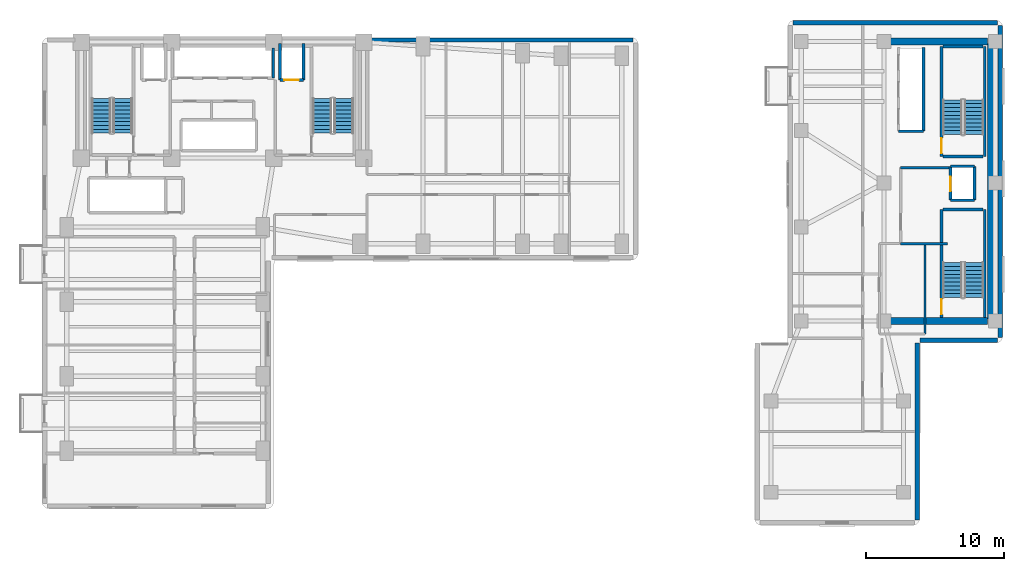
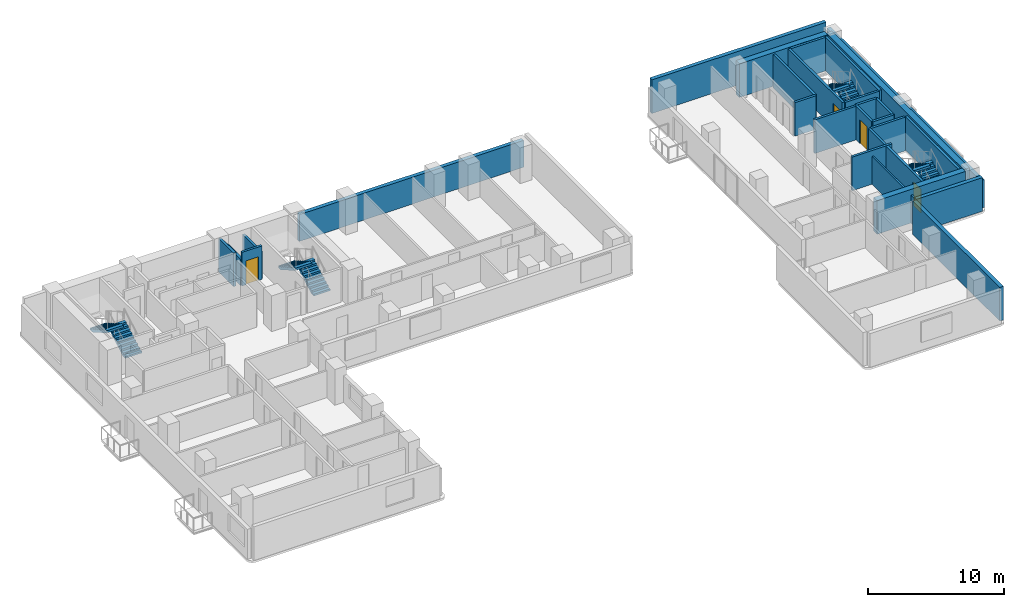
# One storey, part 13 of 17: 28 walls, 8 stair flights, 4 doors, 4 openings, 4 elements without a shape of their own.
"""IFC4 building model written with IfcOpenShell, lengths in metres."""

from ifc_helpers import new_model, si_unit, direction, frame, frame_2d, origin, place, context, subcontext, project, spatial, polyline, rectangle, outline, extrude, material, layer, layer_set, type_object, element, fill, aggregate, save


model = new_model("IFC4")

# Units and contexts
model_context = context("Model", 3, precision=1e-05, world=origin(), true_north=direction((0.0, 1.0)))
body_context = subcontext(model_context, "Body", "Model", "MODEL_VIEW")
ifc_project = project(units=[si_unit("LENGTHUNIT", "METRE"), si_unit("AREAUNIT", "SQUARE_METRE"), si_unit("VOLUMEUNIT", "CUBIC_METRE"), si_unit("PLANEANGLEUNIT", "RADIAN"), si_unit("MASSUNIT", "GRAM", prefix="KILO")], contexts=[model_context])

# Site, building, storey
site_placement = place(None, origin())
site = spatial("IfcSite", under=ifc_project, at=site_placement, CompositionType="ELEMENT")
building_placement = place(site_placement, origin())
building = spatial("IfcBuilding", under=site, at=building_placement, Name="Kuzgunbayir Cultural Tower", CompositionType="ELEMENT")
storey_placement = place(building_placement, frame((0.0, 0.0, 43.60009765625)))
storey = spatial("IfcBuildingStorey", under=building, at=storey_placement, Name="L11", CompositionType="ELEMENT", Elevation=43.60009765625)

# Walls
ifc_material_1 = material(Name="Travertine Buff Ashlar", Category="masonry")
ifc_layer_1 = layer(ifc_material_1, 0.320068359375)
ifc_layer_set_1 = layer_set([ifc_layer_1], Name="Travertine Buff Ashlar")
wall_type_1 = type_object("IfcWallType", Name="WAL-EXT-STONE-320", PredefinedType="STANDARD", material=ifc_layer_set_1)
wall_1_placement = place(storey_placement, frame((46.39990234375, 42.35009765625, 0.0), z_axis=(0.0, 0.0, 1.0), x_axis=(-1.0, 0.0, 0.0)))
element("IfcWall", 1, at=wall_1_placement, inside=storey, type_object=wall_type_1, Name="L11 North Wing B Limestone Wall", PredefinedType="STANDARD", context=body_context, shape_type="SweptSolid", body=[
    extrude(rectangle(XDim=19.0498046875, YDim=0.320068359375, at=frame_2d((9.52490234375, 0.0))), origin(), (0.0, 0.0, 1.0), 2.409912109375),
])
wall_2_placement = place(storey_placement, frame((73.0, 20.800048828125, 0.0), z_axis=(0.0, 0.0, 1.0), x_axis=(0.0, 1.0, 0.0)))
element("IfcWall", 2, at=wall_2_placement, inside=storey, type_object=wall_type_1, Name="L11 Companion East Limestone Wall", PredefinedType="STANDARD", context=body_context, shape_type="SweptSolid", body=[
    extrude(rectangle(XDim=22.599853515625, YDim=0.320068359375, at=frame_2d((11.2998046875, 0.0))), origin(), (0.0, 0.0, 1.0), 2.5),
])
wall_3_placement = place(storey_placement, frame((72.800048828125, 43.60009765625, 0.0), z_axis=(0.0, 0.0, 1.0), x_axis=(-1.0, 0.0, 0.0)))
element("IfcWall", 3, at=wall_3_placement, inside=storey, type_object=wall_type_1, Name="L11 Companion North Limestone Wall", PredefinedType="STANDARD", context=body_context, shape_type="SweptSolid", body=[
    extrude(rectangle(XDim=14.800048828125, YDim=0.320068359375, at=frame_2d((7.39990234375, 0.0))), origin(), (0.0, 0.0, 1.0), 3.02001953125),
])
wall_4_placement = place(storey_placement, frame((67.0, 7.60009765625, 0.0), z_axis=(0.0, 0.0, 1.0), x_axis=(0.0, 1.0, 0.0)))
element("IfcWall", 4, at=wall_4_placement, inside=storey, type_object=wall_type_1, Name="L11 Companion Wing B East Wall", PredefinedType="STANDARD", context=body_context, shape_type="SweptSolid", body=[
    extrude(rectangle(XDim=12.7998046875, YDim=0.320068359375, at=frame_2d((6.39990234375, 0.0))), origin(), (0.0, 0.0, 1.0), 3.02001953125),
])
wall_5_placement = place(storey_placement, frame((67.199951171875, 20.60009765625, 0.0), z_axis=(0.0, 0.0, 1.0), x_axis=(1.0, 0.0, 0.0)))
element("IfcWall", 5, at=wall_5_placement, inside=storey, type_object=wall_type_1, Name="L11 Companion South-East Link", PredefinedType="STANDARD", context=body_context, shape_type="SweptSolid", body=[
    extrude(rectangle(XDim=5.60009765625, YDim=0.320068359375, at=frame_2d((2.800048828125, 0.0))), origin(), (0.0, 0.0, 1.0), 3.02001953125),
])
ifc_material_2 = material(Name="Acoustic Double-Stud Drywall", Category="gypsum")
ifc_layer_2 = layer(ifc_material_2, 0.14990234375)
ifc_layer_set_2 = layer_set([ifc_layer_2], Name="Acoustic Double-Stud Drywall")
wall_type_2 = type_object("IfcWallType", Name="WAL-PART-ACOUSTIC-150", PredefinedType="PARTITIONING", material=ifc_layer_set_2)
wall_6_placement = place(storey_placement, frame((67.550048828125, 21.050048828125, 0.0), z_axis=(0.0, 0.0, 1.0), x_axis=(0.0, 1.0, 0.0)))
element("IfcWall", 6, at=wall_6_placement, inside=storey, type_object=wall_type_2, Name="L11 Companion Archive East Wall", PredefinedType="PARTITIONING", context=body_context, shape_type="SweptSolid", body=[
    extrude(rectangle(XDim=6.469970703125, YDim=0.14990234375, at=frame_2d((3.23486328125, 0.0))), origin(), (0.0, 0.0, 1.0), 2.5),
])
ifc_material_3 = material(Name="Aerated Concrete Blockwork", Category="masonry")
ifc_layer_3 = layer(ifc_material_3, 0.199951171875)
ifc_layer_set_3 = layer_set([ifc_layer_3], Name="Aerated Concrete Blockwork")
wall_type_3 = type_object("IfcWallType", Name="WAL-PART-FIRE-200", PredefinedType="PARTITIONING", material=ifc_layer_set_3)
wall_7_placement = place(storey_placement, frame((65.800048828125, 33.10009765625, 0.0), z_axis=(0.0, 0.0, 1.0), x_axis=(1.0, 0.0, 0.0)))
element("IfcWall", 7, at=wall_7_placement, inside=storey, type_object=wall_type_3, Name="L11 FFL-3 Lobby North Fire Wall", PredefinedType="PARTITIONING", context=body_context, shape_type="SweptSolid", body=[
    extrude(rectangle(XDim=3.599853515625, YDim=0.199951171875, at=frame_2d((1.7998046875, 0.0))), origin(), (0.0, 0.0, 1.0), 3.02001953125),
])
wall_8_placement = place(storey_placement, frame((65.800048828125, 27.60009765625, 0.0), z_axis=(0.0, 0.0, 1.0), x_axis=(1.0, 0.0, 0.0)))
element("IfcWall", 8, at=wall_8_placement, inside=storey, type_object=wall_type_3, Name="L11 FFL-3 Lobby South Fire Wall", PredefinedType="PARTITIONING", context=body_context, shape_type="SweptSolid", body=[
    extrude(rectangle(XDim=3.39990234375, YDim=0.199951171875, at=frame_2d((1.699951171875, 0.0))), origin(), (0.0, 0.0, 1.0), 3.02001953125),
])

# Wall, opening, door
ifc_material_4 = material(Name="Concrete C40/50", Category="concrete")
ifc_layer_4 = layer(ifc_material_4, 0.199951171875)
ifc_layer_set_4 = layer_set([ifc_layer_4], Name="Concrete C40/50")
wall_type_4 = type_object("IfcWallType", Name="WAL-SHAFT-200", PredefinedType="MOVABLE", material=ifc_layer_set_4)
wall_9_placement = place(storey_placement, frame((20.85009765625, 39.449951171875, 0.0), z_axis=(0.0, 0.0, 1.0), x_axis=(1.0, 0.0, 0.0)))
wall_9 = element("IfcWall", 9, at=wall_9_placement, inside=storey, type_object=wall_type_4, Name="L11 FFL-2 Lift Front Wall", PredefinedType="MOVABLE", context=body_context, shape_type="SweptSolid", body=[
    extrude(rectangle(XDim=1.699951171875, YDim=0.199951171875, at=frame_2d((0.85009765625, 0.0))), origin(), (0.0, 0.0, 1.0), 3.02001953125),
])
opening_1_placement = place(wall_9_placement, frame((0.320068359375, 0.0, 0.0)))
opening_1 = element("IfcOpeningElement", 10, at=opening_1_placement, cuts=wall_9, Name="Opening LD", PredefinedType="OPENING", context=body_context, shape_type="SweptSolid", body=[
    extrude(rectangle(XDim=1.050048828125, YDim=2.14990234375, at=frame_2d((0.52490234375, 1.074951171875))), frame((0.0, 0.10986328125, 0.0), z_axis=(0.0, -1.0, 0.0), x_axis=(1.0, 0.0, 0.0)), (0.0, 0.0, 1.0), 0.219970703125),
])
ifc_material_5 = material(Name="Brushed Stainless Steel", Category="steel")
door_type_1 = type_object("IfcDoorType", Name="DR-LIFT-LANDING", OperationType="SLIDING_TO_LEFT", PredefinedType="DOOR", material=ifc_material_5)
door_1_placement = place(opening_1_placement, origin())
door_1 = element("IfcDoor", 11, at=door_1_placement, inside=storey, type_object=door_type_1, Name="L11 Lift FFL-2 Landing Door", OperationType="SLIDING_TO_LEFT", OverallHeight=2.14990234375, OverallWidth=1.050048828125, PredefinedType="DOOR", context=body_context, shape_type="SweptSolid", body=[
    extrude(rectangle(XDim=1.050048828125, YDim=2.14990234375, at=frame_2d((0.52490234375, 1.074951171875))), frame((0.0, 0.02490234375, 0.0), z_axis=(0.0, -1.0, 0.0), x_axis=(1.0, 0.0, 0.0)), (0.0, 0.0, 1.0), 0.050048828125),
])
fill(opening_1, door_1)

# Walls
for number, where, z_axis, x_axis, name in (
    (12, (20.85009765625, 39.449951171875, 0.0), (0.0, 0.0, 1.0), (0.0, 1.0, 0.0), "L11 FFL-2 Shaft West Wall"),
    (13, (22.550048828125, 39.449951171875, 0.0), (0.0, 0.0, 1.0), (0.0, 1.0, 0.0), "L11 FFL-2 Shaft East Wall"),
):
    element("IfcWall", number, at=place(storey_placement, frame(where, z_axis=z_axis, x_axis=x_axis)), inside=storey, type_object=wall_type_4, Name=name, PredefinedType="MOVABLE", context=body_context, shape_type="SweptSolid", body=[
        extrude(rectangle(XDim=2.650146484375, YDim=0.199951171875, at=frame_2d((1.3251953125, 0.0))), origin(), (0.0, 0.0, 1.0), 2.409912109375),
    ])
wall_10_placement = place(storey_placement, frame((20.35009765625, 39.60009765625, 0.0), z_axis=(0.0, 0.0, 1.0), x_axis=(0.0, 1.0, 0.0)))
element("IfcWall", 14, at=wall_10_placement, inside=storey, type_object=wall_type_4, Name="L11 Low-Rise Lift Shaft East Wall", PredefinedType="MOVABLE", context=body_context, shape_type="SweptSolid", body=[
    extrude(rectangle(XDim=2.179931640625, YDim=0.199951171875, at=frame_2d((1.08984375, 0.0))), origin(), (0.0, 0.0, 1.0), 3.02001953125),
])
wall_11_placement = place(storey_placement, frame((67.449951171875, 35.75, 0.0), z_axis=(0.0, 0.0, 1.0), x_axis=(0.0, 1.0, 0.0)))
element("IfcWall", 15, at=wall_11_placement, inside=storey, type_object=wall_type_4, Name="L11 Companion Lift Shaft Back Wall", PredefinedType="MOVABLE", context=body_context, shape_type="SweptSolid", body=[
    extrude(rectangle(XDim=6.050048828125, YDim=0.199951171875, at=frame_2d((3.02490234375, 0.0))), origin(), (0.0, 0.0, 1.0), 3.02001953125),
])
wall_12_placement = place(storey_placement, frame((65.64990234375, 35.75, 0.0), z_axis=(0.0, 0.0, 1.0), x_axis=(1.0, 0.0, 0.0)))
element("IfcWall", 16, at=wall_12_placement, inside=storey, type_object=wall_type_4, Name="L11 Companion Lift Shaft South Wall", PredefinedType="MOVABLE", context=body_context, shape_type="SweptSolid", body=[
    extrude(rectangle(XDim=1.800048828125, YDim=0.199951171875, at=frame_2d((0.89990234375, 0.0))), origin(), (0.0, 0.0, 1.0), 3.02001953125),
])

# Wall, opening, door
wall_13_placement = place(storey_placement, frame((69.39990234375, 30.75, 0.0), z_axis=(0.0, 0.0, 1.0), x_axis=(0.0, 1.0, 0.0)))
wall_13 = element("IfcWall", 17, at=wall_13_placement, inside=storey, type_object=wall_type_4, Name="L11 FFL-3 Lift Front Wall", PredefinedType="MOVABLE", context=body_context, shape_type="SweptSolid", body=[
    extrude(rectangle(XDim=2.449951171875, YDim=0.199951171875, at=frame_2d((1.22509765625, 0.0))), origin(), (0.0, 0.0, 1.0), 3.02001953125),
])
opening_2_placement = place(wall_13_placement, frame((0.64990234375, 0.0, 0.0)))
opening_2 = element("IfcOpeningElement", 18, at=opening_2_placement, cuts=wall_13, Name="Opening LD", PredefinedType="OPENING", context=body_context, shape_type="SweptSolid", body=[
    extrude(rectangle(XDim=1.050048828125, YDim=2.14990234375, at=frame_2d((0.52490234375, 1.074951171875))), frame((0.0, 0.10986328125, 0.0), z_axis=(0.0, -1.0, 0.0), x_axis=(1.0, 0.0, 0.0)), (0.0, 0.0, 1.0), 0.219970703125),
])
door_2_placement = place(opening_2_placement, origin())
door_2 = element("IfcDoor", 19, at=door_2_placement, inside=storey, type_object=door_type_1, Name="L11 Lift FFL-3 Landing Door", OperationType="SLIDING_TO_LEFT", OverallHeight=2.14990234375, OverallWidth=1.050048828125, PredefinedType="DOOR", context=body_context, shape_type="SweptSolid", body=[
    extrude(rectangle(XDim=1.050048828125, YDim=2.14990234375, at=frame_2d((0.52490234375, 1.074951171875))), frame((0.0, 0.02490234375, 0.0), z_axis=(0.0, -1.0, 0.0), x_axis=(1.0, 0.0, 0.0)), (0.0, 0.0, 1.0), 0.050048828125),
])
fill(opening_2, door_2)

# Walls
wall_14_placement = place(storey_placement, frame((71.14990234375, 30.75, 0.0), z_axis=(0.0, 0.0, 1.0), x_axis=(0.0, 1.0, 0.0)))
element("IfcWall", 20, at=wall_14_placement, inside=storey, type_object=wall_type_4, Name="L11 FFL-3 Shaft Back Wall", PredefinedType="MOVABLE", context=body_context, shape_type="SweptSolid", body=[
    extrude(rectangle(XDim=2.449951171875, YDim=0.199951171875, at=frame_2d((1.22509765625, 0.0))), origin(), (0.0, 0.0, 1.0), 3.02001953125),
])
for number, where, z_axis, x_axis, name in (
    (21, (69.39990234375, 33.199951171875, 0.0), (0.0, 0.0, 1.0), (1.0, 0.0, 0.0), "L11 FFL-3 Shaft North Wall"),
    (22, (69.39990234375, 30.75, 0.0), (0.0, 0.0, 1.0), (1.0, 0.0, 0.0), "L11 FFL-3 Shaft South Wall"),
):
    element("IfcWall", number, at=place(storey_placement, frame(where, z_axis=z_axis, x_axis=x_axis)), inside=storey, type_object=wall_type_4, Name=name, PredefinedType="MOVABLE", context=body_context, shape_type="SweptSolid", body=[
        extrude(rectangle(XDim=1.75, YDim=0.199951171875, at=frame_2d((0.875, 0.0))), origin(), (0.0, 0.0, 1.0), 3.02001953125),
    ])

# Wall, opening, door
ifc_layer_5 = layer(ifc_material_4, 0.199951171875)
ifc_layer_set_5 = layer_set([ifc_layer_5], Name="Concrete C40/50")
wall_type_5 = type_object("IfcWallType", Name="WAL-STAIR-RC-200", PredefinedType="SHEAR", material=ifc_layer_set_5)
wall_15_placement = place(storey_placement, frame((68.760009765625, 22.260009765625, 0.0), z_axis=(0.0, 0.0, 1.0), x_axis=(0.0, 1.0, 0.0)))
wall_15 = element("IfcWall", 23, at=wall_15_placement, inside=storey, type_object=wall_type_5, Name="L11 Stair ST-3 West Structural Wall", PredefinedType="SHEAR", context=body_context, shape_type="SweptSolid", body=[
    extrude(rectangle(XDim=7.820068359375, YDim=0.199951171875, at=frame_2d((3.91015625, 0.0))), origin(), (0.0, 0.0, 1.0), 3.02001953125),
])
opening_3_placement = place(wall_15_placement, frame((0.219970703125, 0.0, 0.0)))
opening_3 = element("IfcOpeningElement", 24, at=opening_3_placement, cuts=wall_15, Name="Opening DR-STAIR-90", PredefinedType="OPENING", context=body_context, shape_type="SweptSolid", body=[
    extrude(rectangle(XDim=1.10009765625, YDim=2.14990234375, at=frame_2d((0.550048828125, 1.074951171875))), frame((0.0, 0.10986328125, 0.0), z_axis=(0.0, -1.0, 0.0), x_axis=(1.0, 0.0, 0.0)), (0.0, 0.0, 1.0), 0.219970703125),
])
ifc_material_6 = material(Name="Steel S355J2", Category="steel")
door_type_2 = type_object("IfcDoorType", Name="DR-STAIR-90", OperationType="NOTDEFINED", PredefinedType="DOOR", material=ifc_material_6)
door_3_placement = place(opening_3_placement, origin())
door_3 = element("IfcDoor", 25, at=door_3_placement, inside=storey, type_object=door_type_2, Name="L11 Stair ST-3 Fire Door", OperationType="SINGLE_SWING_LEFT", OverallHeight=2.14990234375, OverallWidth=1.10009765625, PredefinedType="DOOR", context=body_context, shape_type="SweptSolid", body=[
    extrude(rectangle(XDim=1.10009765625, YDim=2.14990234375, at=frame_2d((0.550048828125, 1.074951171875))), frame((0.0, 0.02490234375, 0.0), z_axis=(0.0, -1.0, 0.0), x_axis=(1.0, 0.0, 0.0)), (0.0, 0.0, 1.0), 0.050048828125),
])
fill(opening_3, door_3)

# Walls
wall_16_placement = place(storey_placement, frame((71.8798828125, 22.260009765625, 0.0), z_axis=(0.0, 0.0, 1.0), x_axis=(0.0, 1.0, 0.0)))
element("IfcWall", 26, at=wall_16_placement, inside=storey, type_object=wall_type_5, Name="L11 Stair ST-3 East Structural Wall", PredefinedType="SHEAR", context=body_context, shape_type="SweptSolid", body=[
    extrude(rectangle(XDim=7.820068359375, YDim=0.199951171875, at=frame_2d((3.91015625, 0.0))), origin(), (0.0, 0.0, 1.0), 3.02001953125),
])
wall_17_placement = place(storey_placement, frame((68.8798828125, 30.080078125, 0.0), z_axis=(0.0, 0.0, 1.0), x_axis=(1.0, 0.0, 0.0)))
element("IfcWall", 27, at=wall_17_placement, inside=storey, type_object=wall_type_5, Name="L11 Stair ST-3 North Structural Wall", PredefinedType="SHEAR", context=body_context, shape_type="SweptSolid", body=[
    extrude(rectangle(XDim=2.880126953125, YDim=0.199951171875, at=frame_2d((1.43994140625, 0.0))), origin(), (0.0, 0.0, 1.0), 3.02001953125),
])

# Wall, opening, door
wall_18_placement = place(storey_placement, frame((68.760009765625, 33.919921875, 0.0), z_axis=(0.0, 0.0, 1.0), x_axis=(0.0, 1.0, 0.0)))
wall_18 = element("IfcWall", 28, at=wall_18_placement, inside=storey, type_object=wall_type_5, Name="L11 Stair ST-4 West Structural Wall", PredefinedType="SHEAR", context=body_context, shape_type="SweptSolid", body=[
    extrude(rectangle(XDim=7.9599609375, YDim=0.199951171875, at=frame_2d((3.97998046875, 0.0))), origin(), (0.0, 0.0, 1.0), 3.02001953125),
])
opening_4_placement = place(wall_18_placement, frame((0.219970703125, 0.0, 0.0)))
opening_4 = element("IfcOpeningElement", 29, at=opening_4_placement, cuts=wall_18, Name="Opening DR-STAIR-90", PredefinedType="OPENING", context=body_context, shape_type="SweptSolid", body=[
    extrude(rectangle(XDim=1.10009765625, YDim=2.14990234375, at=frame_2d((0.550048828125, 1.074951171875))), frame((0.0, 0.10986328125, 0.0), z_axis=(0.0, -1.0, 0.0), x_axis=(1.0, 0.0, 0.0)), (0.0, 0.0, 1.0), 0.219970703125),
])
door_4_placement = place(opening_4_placement, origin())
door_4 = element("IfcDoor", 30, at=door_4_placement, inside=storey, type_object=door_type_2, Name="L11 Stair ST-4 Fire Door", OperationType="SINGLE_SWING_RIGHT", OverallHeight=2.14990234375, OverallWidth=1.10009765625, PredefinedType="DOOR", context=body_context, shape_type="SweptSolid", body=[
    extrude(rectangle(XDim=1.10009765625, YDim=2.14990234375, at=frame_2d((0.550048828125, 1.074951171875))), frame((0.0, 0.02490234375, 0.0), z_axis=(0.0, -1.0, 0.0), x_axis=(1.0, 0.0, 0.0)), (0.0, 0.0, 1.0), 0.050048828125),
])
fill(opening_4, door_4)

# Walls
wall_19_placement = place(storey_placement, frame((71.8798828125, 33.919921875, 0.0), z_axis=(0.0, 0.0, 1.0), x_axis=(0.0, 1.0, 0.0)))
element("IfcWall", 31, at=wall_19_placement, inside=storey, type_object=wall_type_5, Name="L11 Stair ST-4 East Structural Wall", PredefinedType="SHEAR", context=body_context, shape_type="SweptSolid", body=[
    extrude(rectangle(XDim=7.9599609375, YDim=0.199951171875, at=frame_2d((3.97998046875, 0.0))), origin(), (0.0, 0.0, 1.0), 3.02001953125),
])
for number, where, z_axis, x_axis, name in (
    (32, (68.8798828125, 41.8798828125, 0.0), (0.0, 0.0, 1.0), (1.0, 0.0, 0.0), "L11 Stair ST-4 North Structural Wall"),
    (33, (68.8798828125, 33.919921875, 0.0), (0.0, 0.0, 1.0), (1.0, 0.0, 0.0), "L11 Stair ST-4 South Structural Wall"),
):
    element("IfcWall", number, at=place(storey_placement, frame(where, z_axis=z_axis, x_axis=x_axis)), inside=storey, type_object=wall_type_5, Name=name, PredefinedType="SHEAR", context=body_context, shape_type="SweptSolid", body=[
        extrude(rectangle(XDim=2.880126953125, YDim=0.199951171875, at=frame_2d((1.43994140625, 0.0))), origin(), (0.0, 0.0, 1.0), 3.02001953125),
    ])
ifc_material_7 = material(Name="Concrete C60/75", Category="concrete")
ifc_layer_6 = layer(ifc_material_7, 0.5)
ifc_layer_set_6 = layer_set([ifc_layer_6], Name="Concrete C60/75")
wall_type_6 = type_object("IfcWallType", Name="WAL-T2-CORE-500", PredefinedType="SHEAR", material=ifc_layer_set_6)
wall_20_placement = place(storey_placement, frame((72.35009765625, 22.0, 0.0), z_axis=(0.0, 0.0, 1.0), x_axis=(0.0, 1.0, 0.0)))
element("IfcWall", 34, at=wall_20_placement, inside=storey, type_object=wall_type_6, Name="L11 Companion Core East Shear Wall", PredefinedType="SHEAR", context=body_context, shape_type="SweptSolid", body=[
    extrude(rectangle(XDim=20.25, YDim=0.5, at=frame_2d((10.125, 0.0))), origin(), (0.0, 0.0, 1.0), 3.02001953125),
])
for number, where, z_axis, x_axis, name in (
    (35, (64.60009765625, 42.25, 0.0), (0.0, 0.0, 1.0), (1.0, 0.0, 0.0), "L11 Companion Core North Shear Wall"),
    (36, (64.60009765625, 22.0, 0.0), (0.0, 0.0, 1.0), (1.0, 0.0, 0.0), "L11 Companion Core South Shear Wall"),
):
    element("IfcWall", number, at=place(storey_placement, frame(where, z_axis=z_axis, x_axis=x_axis)), inside=storey, type_object=wall_type_6, Name=name, PredefinedType="SHEAR", context=body_context, shape_type="SweptSolid", body=[
        extrude(rectangle(XDim=7.5, YDim=0.5, at=frame_2d((3.75, 0.0))), origin(), (0.0, 0.0, 1.0), 3.02001953125),
    ])

# Stair, stair flights
stair_type = type_object("IfcStairType", Name="STR-EXIT-CORE", PredefinedType="HALF_TURN_STAIR", material=ifc_material_4)
stair_1_placement = place(storey_placement, origin())
stair_1 = element("IfcStair", 37, at=stair_1_placement, inside=storey, type_object=stair_type, Name="L11 ST-1", PredefinedType="HALF_TURN_STAIR")
stair_flight_type = type_object("IfcStairFlightType", Name="STRF-RC-140", PredefinedType="STRAIGHT", material=ifc_material_4)
stair_flight_1_placement = place(storey_placement, frame((9.4599609375, 35.60009765625, 0.0), z_axis=(0.0, 0.0, 1.0), x_axis=(0.0, 1.0, 0.0)))
stair_flight_1 = element("IfcStairFlight", 38, at=stair_flight_1_placement, type_object=stair_flight_type, Name="ST-1 flight 1", NumberOfRisers=10, NumberOfTreads=9, PredefinedType="STRAIGHT", RiserHeight=0.16, TreadLength=0.28, context=body_context, shape_type="SweptSolid", body=[
    extrude(outline(polyline([(0.0, 0.0), (0.0, 0.159912109375), (0.280029296875, 0.159912109375), (0.280029296875, 0.320068359375), (0.56005859375, 0.320068359375), (0.56005859375, 0.47998046875), (0.840087890625, 0.47998046875), (0.840087890625, 0.639892578125), (1.1201171875, 0.639892578125), (1.1201171875, 0.800048828125), (1.39990234375, 0.800048828125), (1.39990234375, 0.9599609375), (1.679931640625, 0.9599609375), (1.679931640625, 1.1201171875), (1.9599609375, 1.1201171875), (1.9599609375, 1.280029296875), (2.239990234375, 1.280029296875), (2.239990234375, 1.43994140625), (2.52001953125, 1.43994140625), (2.52001953125, 1.60009765625), (2.52001953125, 1.232666015625), (0.362548828125, 0.0), (0.0, 0.0)])), frame((0.0, 0.699951171875, 0.0), z_axis=(0.0, -1.0, 0.0), x_axis=(1.0, 0.0, 0.0)), (0.0, 0.0, 1.0), 1.39990234375),
])
stair_flight_2_placement = place(storey_placement, frame((7.89990234375, 38.1201171875, 1.599853515625), z_axis=(0.0, 0.0, 1.0), x_axis=(0.0, -1.0, 0.0)))
stair_flight_2 = element("IfcStairFlight", 39, at=stair_flight_2_placement, type_object=stair_flight_type, Name="ST-1 flight 2", NumberOfRisers=10, NumberOfTreads=9, PredefinedType="STRAIGHT", RiserHeight=0.16, TreadLength=0.28, context=body_context, shape_type="SweptSolid", body=[
    extrude(outline(polyline([(0.0, 0.0), (0.0, 0.159912109375), (0.280029296875, 0.159912109375), (0.280029296875, 0.320068359375), (0.56005859375, 0.320068359375), (0.56005859375, 0.47998046875), (0.840087890625, 0.47998046875), (0.840087890625, 0.639892578125), (1.1201171875, 0.639892578125), (1.1201171875, 0.800048828125), (1.39990234375, 0.800048828125), (1.39990234375, 0.9599609375), (1.679931640625, 0.9599609375), (1.679931640625, 1.1201171875), (1.9599609375, 1.1201171875), (1.9599609375, 1.280029296875), (2.239990234375, 1.280029296875), (2.239990234375, 1.43994140625), (2.52001953125, 1.43994140625), (2.52001953125, 1.60009765625), (2.52001953125, 1.232666015625), (0.362548828125, 0.0), (0.0, 0.0)])), frame((0.0, 0.699951171875, 0.0), z_axis=(0.0, -1.0, 0.0), x_axis=(1.0, 0.0, 0.0)), (0.0, 0.0, 1.0), 1.39990234375),
])
aggregate(stair_1, [stair_flight_1, stair_flight_2])

stair_2_placement = place(storey_placement, origin())
stair_2 = element("IfcStair", 40, at=stair_2_placement, inside=storey, type_object=stair_type, Name="L11 ST-2", PredefinedType="HALF_TURN_STAIR")
stair_flight_3_placement = place(storey_placement, frame((25.4599609375, 35.60009765625, 0.0), z_axis=(0.0, 0.0, 1.0), x_axis=(0.0, 1.0, 0.0)))
stair_flight_3 = element("IfcStairFlight", 41, at=stair_flight_3_placement, type_object=stair_flight_type, Name="ST-2 flight 1", NumberOfRisers=10, NumberOfTreads=9, PredefinedType="STRAIGHT", RiserHeight=0.16, TreadLength=0.28, context=body_context, shape_type="SweptSolid", body=[
    extrude(outline(polyline([(0.0, 0.0), (0.0, 0.159912109375), (0.280029296875, 0.159912109375), (0.280029296875, 0.320068359375), (0.56005859375, 0.320068359375), (0.56005859375, 0.47998046875), (0.840087890625, 0.47998046875), (0.840087890625, 0.639892578125), (1.1201171875, 0.639892578125), (1.1201171875, 0.800048828125), (1.39990234375, 0.800048828125), (1.39990234375, 0.9599609375), (1.679931640625, 0.9599609375), (1.679931640625, 1.1201171875), (1.9599609375, 1.1201171875), (1.9599609375, 1.280029296875), (2.239990234375, 1.280029296875), (2.239990234375, 1.43994140625), (2.52001953125, 1.43994140625), (2.52001953125, 1.60009765625), (2.52001953125, 1.232666015625), (0.362548828125, 0.0), (0.0, 0.0)])), frame((0.0, 0.699951171875, 0.0), z_axis=(0.0, -1.0, 0.0), x_axis=(1.0, 0.0, 0.0)), (0.0, 0.0, 1.0), 1.39990234375),
])
stair_flight_4_placement = place(storey_placement, frame((23.89990234375, 38.1201171875, 1.599853515625), z_axis=(0.0, 0.0, 1.0), x_axis=(0.0, -1.0, 0.0)))
stair_flight_4 = element("IfcStairFlight", 42, at=stair_flight_4_placement, type_object=stair_flight_type, Name="ST-2 flight 2", NumberOfRisers=10, NumberOfTreads=9, PredefinedType="STRAIGHT", RiserHeight=0.16, TreadLength=0.28, context=body_context, shape_type="SweptSolid", body=[
    extrude(outline(polyline([(0.0, 0.0), (0.0, 0.159912109375), (0.280029296875, 0.159912109375), (0.280029296875, 0.320068359375), (0.56005859375, 0.320068359375), (0.56005859375, 0.47998046875), (0.840087890625, 0.47998046875), (0.840087890625, 0.639892578125), (1.1201171875, 0.639892578125), (1.1201171875, 0.800048828125), (1.39990234375, 0.800048828125), (1.39990234375, 0.9599609375), (1.679931640625, 0.9599609375), (1.679931640625, 1.1201171875), (1.9599609375, 1.1201171875), (1.9599609375, 1.280029296875), (2.239990234375, 1.280029296875), (2.239990234375, 1.43994140625), (2.52001953125, 1.43994140625), (2.52001953125, 1.60009765625), (2.52001953125, 1.232666015625), (0.362548828125, 0.0), (0.0, 0.0)])), frame((0.0, 0.699951171875, 0.0), z_axis=(0.0, -1.0, 0.0), x_axis=(1.0, 0.0, 0.0)), (0.0, 0.0, 1.0), 1.39990234375),
])
aggregate(stair_2, [stair_flight_3, stair_flight_4])

stair_3_placement = place(storey_placement, origin())
stair_3 = element("IfcStair", 43, at=stair_3_placement, inside=storey, type_object=stair_type, Name="L11 ST-3", PredefinedType="HALF_TURN_STAIR")
stair_flight_5_placement = place(storey_placement, frame((71.10009765625, 23.699951171875, 0.0), z_axis=(0.0, 0.0, 1.0), x_axis=(0.0, 1.0, 0.0)))
stair_flight_5 = element("IfcStairFlight", 44, at=stair_flight_5_placement, type_object=stair_flight_type, Name="ST-3 flight 1", NumberOfRisers=10, NumberOfTreads=9, PredefinedType="STRAIGHT", RiserHeight=0.16, TreadLength=0.28, context=body_context, shape_type="SweptSolid", body=[
    extrude(outline(polyline([(0.0, 0.0), (0.0, 0.159912109375), (0.280029296875, 0.159912109375), (0.280029296875, 0.320068359375), (0.56005859375, 0.320068359375), (0.56005859375, 0.47998046875), (0.840087890625, 0.47998046875), (0.840087890625, 0.639892578125), (1.1201171875, 0.639892578125), (1.1201171875, 0.800048828125), (1.39990234375, 0.800048828125), (1.39990234375, 0.9599609375), (1.679931640625, 0.9599609375), (1.679931640625, 1.1201171875), (1.9599609375, 1.1201171875), (1.9599609375, 1.280029296875), (2.239990234375, 1.280029296875), (2.239990234375, 1.43994140625), (2.52001953125, 1.43994140625), (2.52001953125, 1.60009765625), (2.52001953125, 1.232666015625), (0.362548828125, 0.0), (0.0, 0.0)])), frame((0.0, 0.699951171875, 0.0), z_axis=(0.0, -1.0, 0.0), x_axis=(1.0, 0.0, 0.0)), (0.0, 0.0, 1.0), 1.39990234375),
])
stair_flight_6_placement = place(storey_placement, frame((69.5400390625, 26.219970703125, 1.599853515625), z_axis=(0.0, 0.0, 1.0), x_axis=(0.0, -1.0, 0.0)))
stair_flight_6 = element("IfcStairFlight", 45, at=stair_flight_6_placement, type_object=stair_flight_type, Name="ST-3 flight 2", NumberOfRisers=10, NumberOfTreads=9, PredefinedType="STRAIGHT", RiserHeight=0.16, TreadLength=0.28, context=body_context, shape_type="SweptSolid", body=[
    extrude(outline(polyline([(0.0, 0.0), (0.0, 0.159912109375), (0.280029296875, 0.159912109375), (0.280029296875, 0.320068359375), (0.56005859375, 0.320068359375), (0.56005859375, 0.47998046875), (0.840087890625, 0.47998046875), (0.840087890625, 0.639892578125), (1.1201171875, 0.639892578125), (1.1201171875, 0.800048828125), (1.39990234375, 0.800048828125), (1.39990234375, 0.9599609375), (1.679931640625, 0.9599609375), (1.679931640625, 1.1201171875), (1.9599609375, 1.1201171875), (1.9599609375, 1.280029296875), (2.239990234375, 1.280029296875), (2.239990234375, 1.43994140625), (2.52001953125, 1.43994140625), (2.52001953125, 1.60009765625), (2.52001953125, 1.232666015625), (0.362548828125, 0.0), (0.0, 0.0)])), frame((0.0, 0.699951171875, 0.0), z_axis=(0.0, -1.0, 0.0), x_axis=(1.0, 0.0, 0.0)), (0.0, 0.0, 1.0), 1.39990234375),
])
aggregate(stair_3, [stair_flight_5, stair_flight_6])

stair_4_placement = place(storey_placement, origin())
stair_4 = element("IfcStair", 46, at=stair_4_placement, inside=storey, type_object=stair_type, Name="L11 ST-4", PredefinedType="HALF_TURN_STAIR")
stair_flight_7_placement = place(storey_placement, frame((71.10009765625, 35.5, 0.0), z_axis=(0.0, 0.0, 1.0), x_axis=(0.0, 1.0, 0.0)))
stair_flight_7 = element("IfcStairFlight", 47, at=stair_flight_7_placement, type_object=stair_flight_type, Name="ST-4 flight 1", NumberOfRisers=10, NumberOfTreads=9, PredefinedType="STRAIGHT", RiserHeight=0.16, TreadLength=0.28, context=body_context, shape_type="SweptSolid", body=[
    extrude(outline(polyline([(0.0, 0.0), (0.0, 0.159912109375), (0.280029296875, 0.159912109375), (0.280029296875, 0.320068359375), (0.56005859375, 0.320068359375), (0.56005859375, 0.47998046875), (0.840087890625, 0.47998046875), (0.840087890625, 0.639892578125), (1.1201171875, 0.639892578125), (1.1201171875, 0.800048828125), (1.39990234375, 0.800048828125), (1.39990234375, 0.9599609375), (1.679931640625, 0.9599609375), (1.679931640625, 1.1201171875), (1.9599609375, 1.1201171875), (1.9599609375, 1.280029296875), (2.239990234375, 1.280029296875), (2.239990234375, 1.43994140625), (2.52001953125, 1.43994140625), (2.52001953125, 1.60009765625), (2.52001953125, 1.232666015625), (0.362548828125, 0.0), (0.0, 0.0)])), frame((0.0, 0.699951171875, 0.0), z_axis=(0.0, -1.0, 0.0), x_axis=(1.0, 0.0, 0.0)), (0.0, 0.0, 1.0), 1.39990234375),
])
stair_flight_8_placement = place(storey_placement, frame((69.5400390625, 38.02001953125, 1.599853515625), z_axis=(0.0, 0.0, 1.0), x_axis=(0.0, -1.0, 0.0)))
stair_flight_8 = element("IfcStairFlight", 48, at=stair_flight_8_placement, type_object=stair_flight_type, Name="ST-4 flight 2", NumberOfRisers=10, NumberOfTreads=9, PredefinedType="STRAIGHT", RiserHeight=0.16, TreadLength=0.28, context=body_context, shape_type="SweptSolid", body=[
    extrude(outline(polyline([(0.0, 0.0), (0.0, 0.159912109375), (0.280029296875, 0.159912109375), (0.280029296875, 0.320068359375), (0.56005859375, 0.320068359375), (0.56005859375, 0.47998046875), (0.840087890625, 0.47998046875), (0.840087890625, 0.639892578125), (1.1201171875, 0.639892578125), (1.1201171875, 0.800048828125), (1.39990234375, 0.800048828125), (1.39990234375, 0.9599609375), (1.679931640625, 0.9599609375), (1.679931640625, 1.1201171875), (1.9599609375, 1.1201171875), (1.9599609375, 1.280029296875), (2.239990234375, 1.280029296875), (2.239990234375, 1.43994140625), (2.52001953125, 1.43994140625), (2.52001953125, 1.60009765625), (2.52001953125, 1.232666015625), (0.362548828125, 0.0), (0.0, 0.0)])), frame((0.0, 0.699951171875, 0.0), z_axis=(0.0, -1.0, 0.0), x_axis=(1.0, 0.0, 0.0)), (0.0, 0.0, 1.0), 1.39990234375),
])
aggregate(stair_4, [stair_flight_7, stair_flight_8])

save(model, "model.ifc")
